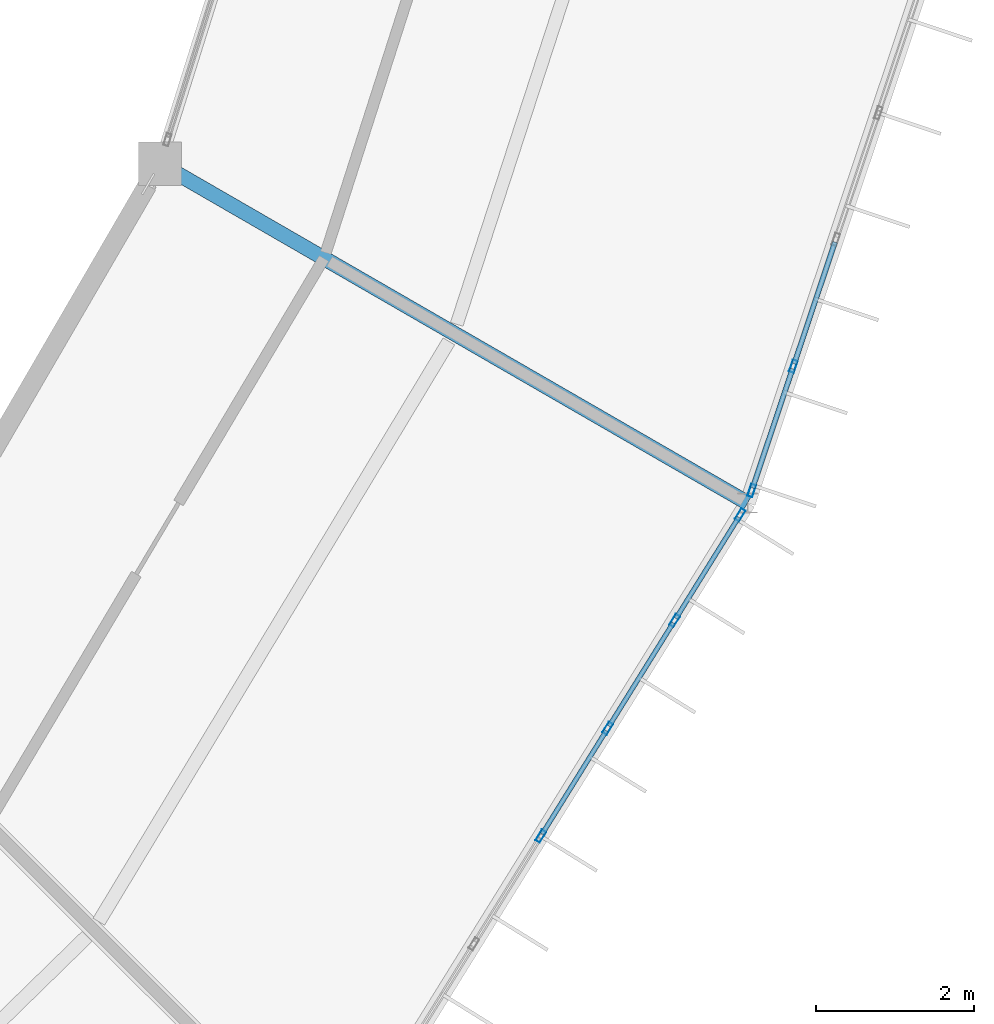
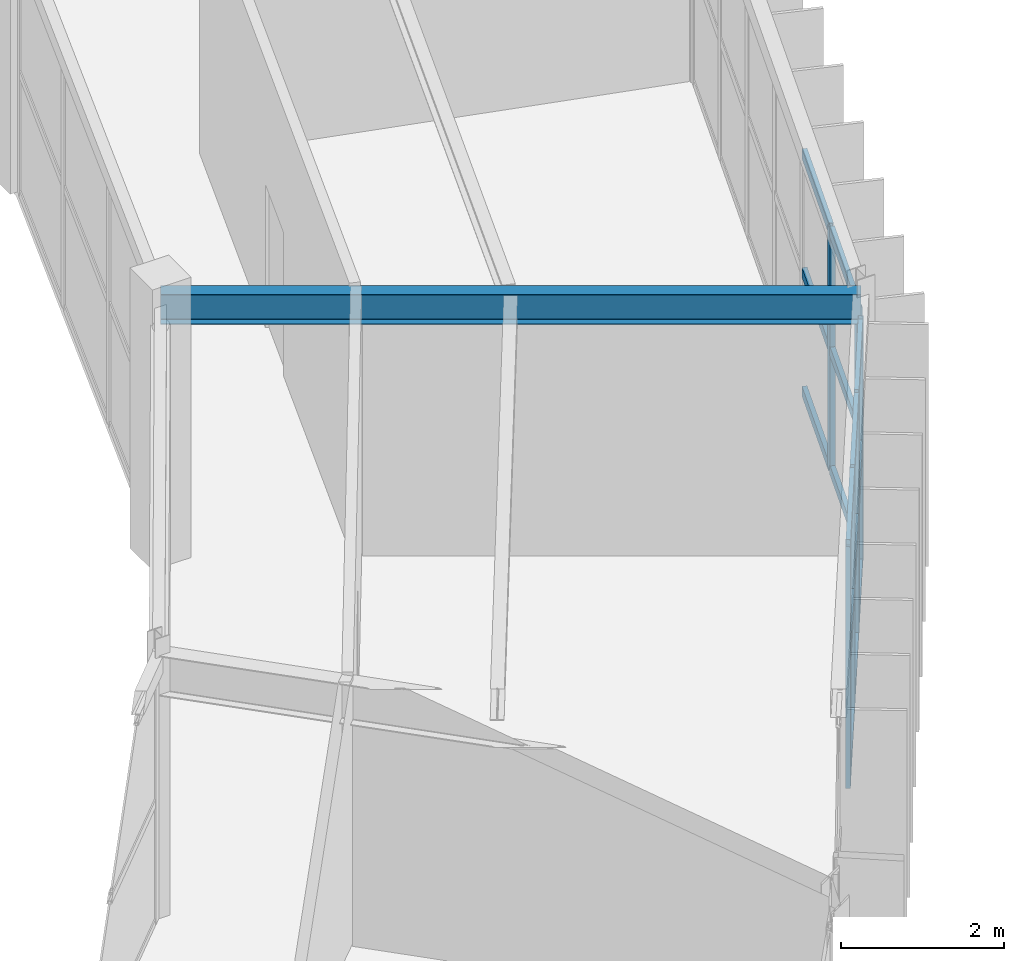
# One storey, part 49 of 130: 21 members, 1 beam, 2 elements without a shape of their own.
"""IFC4 building model written with IfcOpenShell, lengths in metres."""

from ifc_helpers import new_model, si_unit, direction, frame, origin, origin_2d, place, context, subcontext, project, spatial, hollow_rectangle, i_section, extrude, material, material_profile, profile_set, type_object, element, aggregate, save


model = new_model("IFC4")

# Units and contexts
model_context = context("Model", 3, precision=1e-05, world=origin(), true_north=direction((0.0, 1.0)))
body_context = subcontext(model_context, "Body", "Model", "MODEL_VIEW")
ifc_project = project(units=[si_unit("LENGTHUNIT", "METRE"), si_unit("AREAUNIT", "SQUARE_METRE"), si_unit("VOLUMEUNIT", "CUBIC_METRE"), si_unit("PLANEANGLEUNIT", "RADIAN"), si_unit("MASSUNIT", "GRAM", prefix="KILO")], contexts=[model_context])

# Site, building, storey
site_placement = place(None, origin())
site = spatial("IfcSite", under=ifc_project, at=site_placement, CompositionType="ELEMENT")
building_placement = place(site_placement, origin())
building = spatial("IfcBuilding", under=site, at=building_placement, Name="Karori Crest Natural Sciences Institute", CompositionType="ELEMENT")
storey_placement = place(building_placement, frame((0.0, 0.0, 17.5)))
storey = spatial("IfcBuildingStorey", under=building, at=storey_placement, Name="L04", CompositionType="ELEMENT", Elevation=17.5)

# Beam
ifc_material_1 = material(Name="Structural steel AS/NZS 3679.1 Grade 350", Category="steel")
ifc_material_profile_1 = material_profile(ifc_material_1, i_section(OverallWidth=0.18994140625, OverallDepth=0.4541015625, WebThickness=0.008544921875, FlangeThickness=0.0126953125, FilletRadius=0.010986328125, at=origin_2d()), Name="460UB67.1")
ifc_profile_set_1 = profile_set([ifc_material_profile_1], Name="Structural steel AS/NZS 3679.1 Grade 350")
beam_type = type_object("IfcBeamType", Name="BT-28", PredefinedType="BEAM", material=ifc_profile_set_1)
beam_placement = place(storey_placement, frame((87.531005859375, 33.800048828125, 3.712890625), z_axis=(0.866021068297, -0.500007509209, 0.0), x_axis=(0.500007509209, 0.866021068297, 0.0)))
element("IfcBeam", 1, at=beam_placement, inside=storey, type_object=beam_type, Name="Beam B-0536", PredefinedType="BEAM", context=body_context, shape_type="SweptSolid", body=[
    extrude(i_section(OverallWidth=0.18994140625, OverallDepth=0.4541015625, WebThickness=0.008544921875, FlangeThickness=0.0126953125, FilletRadius=0.010986328125, at=origin_2d()), origin(), (0.0, 0.0, 1.0), 8.599853515625),
])

# Curtain wall, members
ifc_material_2 = material(Name="Anodised architectural aluminium 6063-T6", Category="aluminium")
curtain_wall_type_1 = type_object("IfcCurtainWallType", Name="CWT-02", PredefinedType="NOTDEFINED", material=ifc_material_2)
curtain_wall_1_placement = place(storey_placement, origin())
curtain_wall_1 = element("IfcCurtainWall", 2, at=curtain_wall_1_placement, inside=storey, type_object=curtain_wall_type_1, Name="Curtain wall CW-0168", PredefinedType="NOTDEFINED")
ifc_material_profile_2 = material_profile(ifc_material_2, hollow_rectangle(XDim=0.06494140625, YDim=0.159912109375, WallThickness=0.00390625, at=origin_2d()), Name="CWM160x65x4")
ifc_profile_set_2 = profile_set([ifc_material_profile_2], Name="Anodised architectural aluminium 6063-T6")
member_type_1 = type_object("IfcMemberType", Name="CWM-01", PredefinedType="MULLION", material=ifc_profile_set_2)
member_1_placement = place(storey_placement, frame((94.8837890625, 29.34716796875, 0.0), z_axis=(0.0, 0.0, 1.0), x_axis=(0.849664350398, -0.527323896352, 0.0)))
member_1 = element("IfcMember", 3, at=member_1_placement, type_object=member_type_1, Name="CW-0168 mullion 1", PredefinedType="MULLION", context=body_context, shape_type="SweptSolid", body=[
    extrude(hollow_rectangle(XDim=0.06494140625, YDim=0.159912109375, WallThickness=0.00390625, at=origin_2d()), origin(), (0.0, 0.0, 1.0), 3.625),
])
member_2_placement = place(storey_placement, frame((94.05322265625, 28.008544921875, 0.0), z_axis=(0.0, 0.0, 1.0), x_axis=(0.849664350398, -0.527323896352, 0.0)))
member_2 = element("IfcMember", 4, at=member_2_placement, type_object=member_type_1, Name="CW-0168 mullion 2", PredefinedType="MULLION", context=body_context, shape_type="SweptSolid", body=[
    extrude(hollow_rectangle(XDim=0.06494140625, YDim=0.159912109375, WallThickness=0.00390625, at=origin_2d()), origin(), (0.0, 0.0, 1.0), 3.625),
])
member_3_placement = place(storey_placement, frame((93.205322265625, 26.642578125, 0.0), z_axis=(0.0, 0.0, 1.0), x_axis=(0.849664350398, -0.527323896352, 0.0)))
member_3 = element("IfcMember", 5, at=member_3_placement, type_object=member_type_1, Name="CW-0168 mullion 3", PredefinedType="MULLION", context=body_context, shape_type="SweptSolid", body=[
    extrude(hollow_rectangle(XDim=0.06494140625, YDim=0.159912109375, WallThickness=0.00390625, at=origin_2d()), origin(), (0.0, 0.0, 1.0), 3.625),
])
member_4_placement = place(storey_placement, frame((92.357666015625, 25.276611328125, 0.0), z_axis=(0.0, 0.0, 1.0), x_axis=(0.849664350398, -0.527323896352, 0.0)))
member_4 = element("IfcMember", 6, at=member_4_placement, type_object=member_type_1, Name="CW-0168 mullion 4", PredefinedType="MULLION", context=body_context, shape_type="SweptSolid", body=[
    extrude(hollow_rectangle(XDim=0.06494140625, YDim=0.159912109375, WallThickness=0.00390625, at=origin_2d()), origin(), (0.0, 0.0, 1.0), 3.625),
])

curtain_wall_type_2 = type_object("IfcCurtainWallType", Name="CWT-03", PredefinedType="NOTDEFINED", material=ifc_material_2)
curtain_wall_2_placement = place(storey_placement, origin())
curtain_wall_2 = element("IfcCurtainWall", 7, at=curtain_wall_2_placement, inside=storey, type_object=curtain_wall_type_2, Name="Curtain wall CW-0169", PredefinedType="NOTDEFINED")
member_5_placement = place(storey_placement, frame((95.558837890625, 31.231201171875, 0.0), z_axis=(0.0, 0.0, 1.0), x_axis=(0.94819805026, -0.317679803392, 0.0)))
member_5 = element("IfcMember", 8, at=member_5_placement, type_object=member_type_1, Name="CW-0169 mullion 6", PredefinedType="MULLION", context=body_context, shape_type="SweptSolid", body=[
    extrude(hollow_rectangle(XDim=0.06494140625, YDim=0.159912109375, WallThickness=0.00390625, at=origin_2d()), origin(), (0.0, 0.0, 1.0), 3.625),
])
member_6_placement = place(storey_placement, frame((95.031005859375, 29.656005859375, 0.0), z_axis=(0.0, 0.0, 1.0), x_axis=(0.94819805026, -0.317679803392, 0.0)))
member_6 = element("IfcMember", 9, at=member_6_placement, type_object=member_type_1, Name="CW-0169 mullion 7", PredefinedType="MULLION", context=body_context, shape_type="SweptSolid", body=[
    extrude(hollow_rectangle(XDim=0.06494140625, YDim=0.159912109375, WallThickness=0.00390625, at=origin_2d()), origin(), (0.0, 0.0, 1.0), 3.625),
])

# Member
ifc_material_profile_3 = material_profile(ifc_material_2, hollow_rectangle(XDim=0.06005859375, YDim=0.1201171875, WallThickness=0.00390625, at=origin_2d()), Name="CWT120x60x4")
ifc_profile_set_3 = profile_set([ifc_material_profile_3], Name="Anodised architectural aluminium 6063-T6")
member_type_2 = type_object("IfcMemberType", Name="CWT-TR1", PredefinedType="USERDEFINED", material=ifc_profile_set_3)
member_7_placement = place(storey_placement, frame((94.86669921875, 29.319580078125, 0.030029296875), z_axis=(-0.527250198919, -0.849710084523, 0.0), x_axis=(0.849710084523, -0.527250198919, 0.0)))
member_7 = element("IfcMember", 10, at=member_7_placement, type_object=member_type_2, Name="CW-0168 transom 1.1", ObjectType="TRANSOM", PredefinedType="USERDEFINED", context=body_context, shape_type="SweptSolid", body=[
    extrude(hollow_rectangle(XDim=0.06005859375, YDim=0.1201171875, WallThickness=0.00390625, at=origin_2d()), origin(), (0.0, 0.0, 1.0), 1.510498046875),
])

member_8_placement = place(storey_placement, frame((94.86669921875, 29.319580078125, 1.8125), z_axis=(-0.527250198919, -0.849710084523, 0.0), x_axis=(0.849710084523, -0.527250198919, 0.0)))
member_8 = element("IfcMember", 11, at=member_8_placement, type_object=member_type_2, Name="CW-0168 transom 1.2", ObjectType="TRANSOM", PredefinedType="USERDEFINED", context=body_context, shape_type="SweptSolid", body=[
    extrude(hollow_rectangle(XDim=0.06005859375, YDim=0.1201171875, WallThickness=0.00390625, at=origin_2d()), origin(), (0.0, 0.0, 1.0), 1.510498046875),
])

member_9_placement = place(storey_placement, frame((94.86669921875, 29.319580078125, 3.594970703125), z_axis=(-0.527250198919, -0.849710084523, 0.0), x_axis=(0.849710084523, -0.527250198919, 0.0)))
member_9 = element("IfcMember", 12, at=member_9_placement, type_object=member_type_2, Name="CW-0168 transom 1.3", ObjectType="TRANSOM", PredefinedType="USERDEFINED", context=body_context, shape_type="SweptSolid", body=[
    extrude(hollow_rectangle(XDim=0.06005859375, YDim=0.1201171875, WallThickness=0.00390625, at=origin_2d()), origin(), (0.0, 0.0, 1.0), 1.510498046875),
])

member_10_placement = place(storey_placement, frame((94.0361328125, 27.98095703125, 0.030029296875), z_axis=(-0.527421946724, -0.849603489937, 0.0), x_axis=(0.849603489937, -0.527421946724, 0.0)))
member_10 = element("IfcMember", 13, at=member_10_placement, type_object=member_type_2, Name="CW-0168 transom 2.1", ObjectType="TRANSOM", PredefinedType="USERDEFINED", context=body_context, shape_type="SweptSolid", body=[
    extrude(hollow_rectangle(XDim=0.06005859375, YDim=0.1201171875, WallThickness=0.00390625, at=origin_2d()), origin(), (0.0, 0.0, 1.0), 1.542724609375),
])

member_11_placement = place(storey_placement, frame((94.0361328125, 27.98095703125, 1.8125), z_axis=(-0.527421946724, -0.849603489937, 0.0), x_axis=(0.849603489937, -0.527421946724, 0.0)))
member_11 = element("IfcMember", 14, at=member_11_placement, type_object=member_type_2, Name="CW-0168 transom 2.2", ObjectType="TRANSOM", PredefinedType="USERDEFINED", context=body_context, shape_type="SweptSolid", body=[
    extrude(hollow_rectangle(XDim=0.06005859375, YDim=0.1201171875, WallThickness=0.00390625, at=origin_2d()), origin(), (0.0, 0.0, 1.0), 1.542724609375),
])

member_12_placement = place(storey_placement, frame((94.0361328125, 27.98095703125, 3.594970703125), z_axis=(-0.527421946724, -0.849603489937, 0.0), x_axis=(0.849603489937, -0.527421946724, 0.0)))
member_12 = element("IfcMember", 15, at=member_12_placement, type_object=member_type_2, Name="CW-0168 transom 2.3", ObjectType="TRANSOM", PredefinedType="USERDEFINED", context=body_context, shape_type="SweptSolid", body=[
    extrude(hollow_rectangle(XDim=0.06005859375, YDim=0.1201171875, WallThickness=0.00390625, at=origin_2d()), origin(), (0.0, 0.0, 1.0), 1.542724609375),
])

member_13_placement = place(storey_placement, frame((93.188232421875, 26.614990234375, 0.030029296875), z_axis=(-0.527307708925, -0.849674396524, 0.0), x_axis=(0.849674396524, -0.527307708925, 0.0)))
member_13 = element("IfcMember", 16, at=member_13_placement, type_object=member_type_2, Name="CW-0168 transom 3.1", ObjectType="TRANSOM", PredefinedType="USERDEFINED", context=body_context, shape_type="SweptSolid", body=[
    extrude(hollow_rectangle(XDim=0.06005859375, YDim=0.1201171875, WallThickness=0.00390625, at=origin_2d()), origin(), (0.0, 0.0, 1.0), 1.542724609375),
])

member_14_placement = place(storey_placement, frame((93.188232421875, 26.614990234375, 1.8125), z_axis=(-0.527307708925, -0.849674396524, 0.0), x_axis=(0.849674396524, -0.527307708925, 0.0)))
member_14 = element("IfcMember", 17, at=member_14_placement, type_object=member_type_2, Name="CW-0168 transom 3.2", ObjectType="TRANSOM", PredefinedType="USERDEFINED", context=body_context, shape_type="SweptSolid", body=[
    extrude(hollow_rectangle(XDim=0.06005859375, YDim=0.1201171875, WallThickness=0.00390625, at=origin_2d()), origin(), (0.0, 0.0, 1.0), 1.542724609375),
])

member_15_placement = place(storey_placement, frame((93.188232421875, 26.614990234375, 3.594970703125), z_axis=(-0.527307708925, -0.849674396524, 0.0), x_axis=(0.849674396524, -0.527307708925, 0.0)))
member_15 = element("IfcMember", 18, at=member_15_placement, type_object=member_type_2, Name="CW-0168 transom 3.3", ObjectType="TRANSOM", PredefinedType="USERDEFINED", context=body_context, shape_type="SweptSolid", body=[
    extrude(hollow_rectangle(XDim=0.06005859375, YDim=0.1201171875, WallThickness=0.00390625, at=origin_2d()), origin(), (0.0, 0.0, 1.0), 1.542724609375),
])

aggregate(curtain_wall_1, [member_1, member_2, member_3, member_4, member_7, member_8, member_9, member_10, member_11, member_12, member_13, member_14, member_15])

ifc_material_profile_4 = material_profile(ifc_material_2, hollow_rectangle(XDim=0.06494140625, YDim=0.14990234375, WallThickness=0.00390625, at=origin_2d()), Name="CWT150x65x4")
ifc_profile_set_4 = profile_set([ifc_material_profile_4], Name="Anodised architectural aluminium 6063-T6")
member_type_3 = type_object("IfcMemberType", Name="CWT-TR2", PredefinedType="USERDEFINED", material=ifc_profile_set_4)
member_16_placement = place(storey_placement, frame((96.08642578125, 32.806396484375, 0.032470703125), z_axis=(-0.317621421426, -0.948217608279, 0.0), x_axis=(0.948217608279, -0.317621421426, 0.0)))
member_16 = element("IfcMember", 19, at=member_16_placement, type_object=member_type_3, Name="CW-0169 transom 5.1", ObjectType="TRANSOM", PredefinedType="USERDEFINED", context=body_context, shape_type="SweptSolid", body=[
    extrude(hollow_rectangle(XDim=0.06494140625, YDim=0.14990234375, WallThickness=0.00390625, at=origin_2d()), origin(), (0.0, 0.0, 1.0), 1.628662109375),
])

member_17_placement = place(storey_placement, frame((96.08642578125, 32.806396484375, 1.8125), z_axis=(-0.317621421426, -0.948217608279, 0.0), x_axis=(0.948217608279, -0.317621421426, 0.0)))
member_17 = element("IfcMember", 20, at=member_17_placement, type_object=member_type_3, Name="CW-0169 transom 5.2", ObjectType="TRANSOM", PredefinedType="USERDEFINED", context=body_context, shape_type="SweptSolid", body=[
    extrude(hollow_rectangle(XDim=0.06494140625, YDim=0.14990234375, WallThickness=0.00390625, at=origin_2d()), origin(), (0.0, 0.0, 1.0), 1.628662109375),
])

member_18_placement = place(storey_placement, frame((96.08642578125, 32.806396484375, 3.592529296875), z_axis=(-0.317621421426, -0.948217608279, 0.0), x_axis=(0.948217608279, -0.317621421426, 0.0)))
member_18 = element("IfcMember", 21, at=member_18_placement, type_object=member_type_3, Name="CW-0169 transom 5.3", ObjectType="TRANSOM", PredefinedType="USERDEFINED", context=body_context, shape_type="SweptSolid", body=[
    extrude(hollow_rectangle(XDim=0.06494140625, YDim=0.14990234375, WallThickness=0.00390625, at=origin_2d()), origin(), (0.0, 0.0, 1.0), 1.628662109375),
])

member_19_placement = place(storey_placement, frame((95.54833984375, 31.2001953125, 0.032470703125), z_axis=(-0.317695793379, -0.9481926929, 0.0), x_axis=(0.9481926929, -0.317695793379, 0.0)))
member_19 = element("IfcMember", 22, at=member_19_placement, type_object=member_type_3, Name="CW-0169 transom 6.1", ObjectType="TRANSOM", PredefinedType="USERDEFINED", context=body_context, shape_type="SweptSolid", body=[
    extrude(hollow_rectangle(XDim=0.06494140625, YDim=0.14990234375, WallThickness=0.00390625, at=origin_2d()), origin(), (0.0, 0.0, 1.0), 1.59619140625),
])

member_20_placement = place(storey_placement, frame((95.54833984375, 31.2001953125, 1.8125), z_axis=(-0.317695793379, -0.9481926929, 0.0), x_axis=(0.9481926929, -0.317695793379, 0.0)))
member_20 = element("IfcMember", 23, at=member_20_placement, type_object=member_type_3, Name="CW-0169 transom 6.2", ObjectType="TRANSOM", PredefinedType="USERDEFINED", context=body_context, shape_type="SweptSolid", body=[
    extrude(hollow_rectangle(XDim=0.06494140625, YDim=0.14990234375, WallThickness=0.00390625, at=origin_2d()), origin(), (0.0, 0.0, 1.0), 1.59619140625),
])

member_21_placement = place(storey_placement, frame((95.54833984375, 31.2001953125, 3.592529296875), z_axis=(-0.317695793379, -0.9481926929, 0.0), x_axis=(0.9481926929, -0.317695793379, 0.0)))
member_21 = element("IfcMember", 24, at=member_21_placement, type_object=member_type_3, Name="CW-0169 transom 6.3", ObjectType="TRANSOM", PredefinedType="USERDEFINED", context=body_context, shape_type="SweptSolid", body=[
    extrude(hollow_rectangle(XDim=0.06494140625, YDim=0.14990234375, WallThickness=0.00390625, at=origin_2d()), origin(), (0.0, 0.0, 1.0), 1.59619140625),
])

aggregate(curtain_wall_2, [member_5, member_6, member_16, member_17, member_18, member_19, member_20, member_21])

save(model, "model.ifc")
